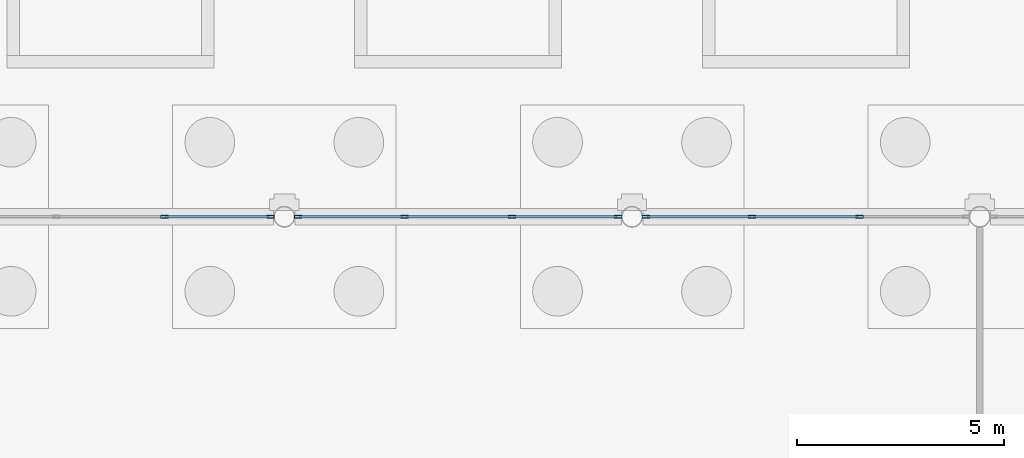
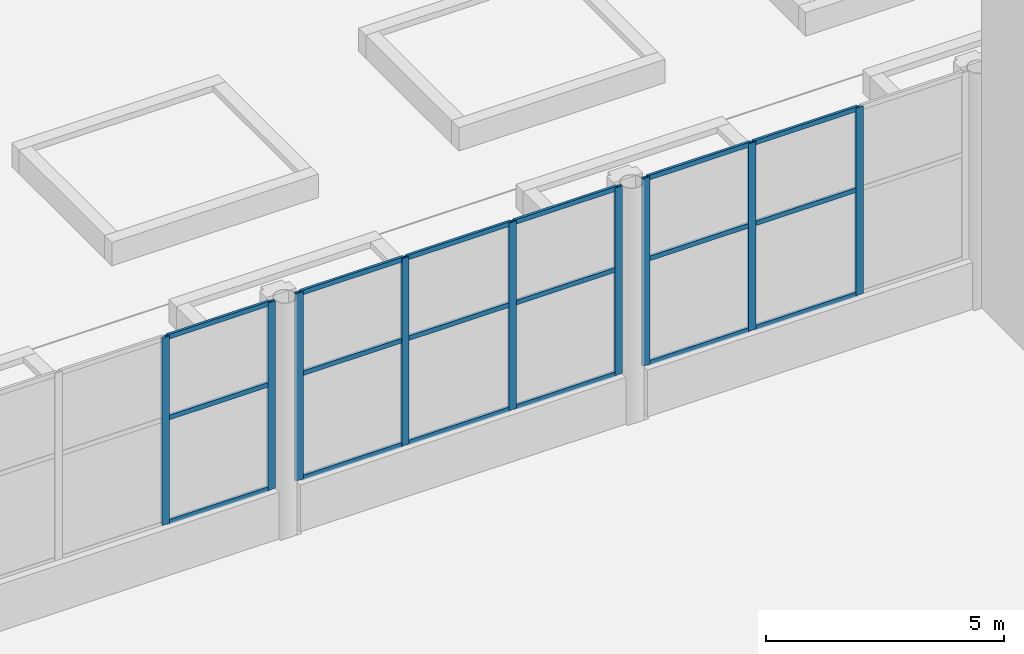
# One storey, part 154 of 212: 27 members, 3 elements without a shape of their own.
"""IFC4 building model written with IfcOpenShell, lengths in metres."""

from ifc_helpers import new_model, si_unit, direction, frame, origin, origin_2d, place, context, subcontext, project, spatial, hollow_rectangle, extrude, material, material_profile, profile_set, type_object, element, aggregate, save


model = new_model("IFC4")

# Units and contexts
model_context = context("Model", 3, precision=1e-05, world=origin(), true_north=direction((0.0, 1.0)))
body_context = subcontext(model_context, "Body", "Model", "MODEL_VIEW")
ifc_project = project(units=[si_unit("LENGTHUNIT", "METRE"), si_unit("AREAUNIT", "SQUARE_METRE"), si_unit("VOLUMEUNIT", "CUBIC_METRE"), si_unit("PLANEANGLEUNIT", "RADIAN"), si_unit("MASSUNIT", "GRAM", prefix="KILO")], contexts=[model_context])

# Site, building, storey
site_placement = place(None, origin())
site = spatial("IfcSite", under=ifc_project, at=site_placement, CompositionType="ELEMENT")
building_placement = place(site_placement, origin())
building = spatial("IfcBuilding", under=site, at=building_placement, Name="Catenary Quay Ferry Terminal", CompositionType="ELEMENT")
storey_placement = place(building_placement, origin())
storey = spatial("IfcBuildingStorey", under=building, at=storey_placement, Name="L00", CompositionType="ELEMENT", Elevation=0.0)

# Curtain wall, members
ifc_material_1 = material(Name="Aluminium and glass", Category="aluminium")
curtain_wall_type = type_object("IfcCurtainWallType", Name="CWH", PredefinedType="NOTDEFINED", material=ifc_material_1)
curtain_wall_1_placement = place(storey_placement, origin())
curtain_wall_1 = element("IfcCurtainWall", 1, at=curtain_wall_1_placement, inside=storey, type_object=curtain_wall_type, Name="Hall curtain wall CW44", PredefinedType="NOTDEFINED")
ifc_material_2 = material(Name="Aluminium", Category="aluminium")
ifc_material_profile_1 = material_profile(ifc_material_2, hollow_rectangle(XDim=0.070068359375, YDim=0.179931640625, WallThickness=0.006103515625, at=origin_2d()), Name="MU3")
ifc_profile_set_1 = profile_set([ifc_material_profile_1], Name="Aluminium")
member_type_1 = type_object("IfcMemberType", Name="MU3", PredefinedType="MULLION", material=ifc_profile_set_1)
member_1_placement = place(storey_placement, frame((64.300048828125, 142.800048828125, 1.199951171875), z_axis=(0.0, 0.0, 1.0), x_axis=(0.0, 1.0, 0.0)))
member_1 = element("IfcMember", 2, at=member_1_placement, type_object=member_type_1, Name="CW44 mullion 3", PredefinedType="MULLION", context=body_context, shape_type="SweptSolid", body=[
    extrude(hollow_rectangle(XDim=0.070068359375, YDim=0.179931640625, WallThickness=0.006103515625, at=origin_2d()), origin(), (0.0, 0.0, 1.0), 4.800048828125),
])
member_2_placement = place(storey_placement, frame((66.864990234375, 142.800048828125, 1.199951171875), z_axis=(0.0, 0.0, 1.0), x_axis=(0.0, 1.0, 0.0)))
member_2 = element("IfcMember", 3, at=member_2_placement, type_object=member_type_1, Name="CW44 mullion 4", PredefinedType="MULLION", context=body_context, shape_type="SweptSolid", body=[
    extrude(hollow_rectangle(XDim=0.070068359375, YDim=0.179931640625, WallThickness=0.006103515625, at=origin_2d()), origin(), (0.0, 0.0, 1.0), 4.800048828125),
])

curtain_wall_2_placement = place(storey_placement, origin())
curtain_wall_2 = element("IfcCurtainWall", 4, at=curtain_wall_2_placement, inside=storey, type_object=curtain_wall_type, Name="Hall curtain wall CW45", PredefinedType="NOTDEFINED")
member_3_placement = place(storey_placement, frame((67.534912109375, 142.800048828125, 1.199951171875), z_axis=(0.0, 0.0, 1.0), x_axis=(0.0, 1.0, 0.0)))
member_3 = element("IfcMember", 5, at=member_3_placement, type_object=member_type_1, Name="CW45 mullion 1", PredefinedType="MULLION", context=body_context, shape_type="SweptSolid", body=[
    extrude(hollow_rectangle(XDim=0.070068359375, YDim=0.179931640625, WallThickness=0.006103515625, at=origin_2d()), origin(), (0.0, 0.0, 1.0), 4.800048828125),
])
member_4_placement = place(storey_placement, frame((70.10009765625, 142.800048828125, 1.199951171875), z_axis=(0.0, 0.0, 1.0), x_axis=(0.0, 1.0, 0.0)))
member_4 = element("IfcMember", 6, at=member_4_placement, type_object=member_type_1, Name="CW45 mullion 2", PredefinedType="MULLION", context=body_context, shape_type="SweptSolid", body=[
    extrude(hollow_rectangle(XDim=0.070068359375, YDim=0.179931640625, WallThickness=0.006103515625, at=origin_2d()), origin(), (0.0, 0.0, 1.0), 4.800048828125),
])
member_5_placement = place(storey_placement, frame((72.699951171875, 142.800048828125, 1.199951171875), z_axis=(0.0, 0.0, 1.0), x_axis=(0.0, 1.0, 0.0)))
member_5 = element("IfcMember", 7, at=member_5_placement, type_object=member_type_1, Name="CW45 mullion 3", PredefinedType="MULLION", context=body_context, shape_type="SweptSolid", body=[
    extrude(hollow_rectangle(XDim=0.070068359375, YDim=0.179931640625, WallThickness=0.006103515625, at=origin_2d()), origin(), (0.0, 0.0, 1.0), 4.800048828125),
])
member_6_placement = place(storey_placement, frame((75.264892578125, 142.800048828125, 1.199951171875), z_axis=(0.0, 0.0, 1.0), x_axis=(0.0, 1.0, 0.0)))
member_6 = element("IfcMember", 8, at=member_6_placement, type_object=member_type_1, Name="CW45 mullion 4", PredefinedType="MULLION", context=body_context, shape_type="SweptSolid", body=[
    extrude(hollow_rectangle(XDim=0.070068359375, YDim=0.179931640625, WallThickness=0.006103515625, at=origin_2d()), origin(), (0.0, 0.0, 1.0), 4.800048828125),
])

curtain_wall_3_placement = place(storey_placement, origin())
curtain_wall_3 = element("IfcCurtainWall", 9, at=curtain_wall_3_placement, inside=storey, type_object=curtain_wall_type, Name="Hall curtain wall CW46", PredefinedType="NOTDEFINED")
member_7_placement = place(storey_placement, frame((75.93505859375, 142.800048828125, 1.199951171875), z_axis=(0.0, 0.0, 1.0), x_axis=(0.0, 1.0, 0.0)))
member_7 = element("IfcMember", 10, at=member_7_placement, type_object=member_type_1, Name="CW46 mullion 1", PredefinedType="MULLION", context=body_context, shape_type="SweptSolid", body=[
    extrude(hollow_rectangle(XDim=0.070068359375, YDim=0.179931640625, WallThickness=0.006103515625, at=origin_2d()), origin(), (0.0, 0.0, 1.0), 4.800048828125),
])
member_8_placement = place(storey_placement, frame((78.5, 142.800048828125, 1.199951171875), z_axis=(0.0, 0.0, 1.0), x_axis=(0.0, 1.0, 0.0)))
member_8 = element("IfcMember", 11, at=member_8_placement, type_object=member_type_1, Name="CW46 mullion 2", PredefinedType="MULLION", context=body_context, shape_type="SweptSolid", body=[
    extrude(hollow_rectangle(XDim=0.070068359375, YDim=0.179931640625, WallThickness=0.006103515625, at=origin_2d()), origin(), (0.0, 0.0, 1.0), 4.800048828125),
])
member_9_placement = place(storey_placement, frame((81.10009765625, 142.800048828125, 1.199951171875), z_axis=(0.0, 0.0, 1.0), x_axis=(0.0, 1.0, 0.0)))
member_9 = element("IfcMember", 12, at=member_9_placement, type_object=member_type_1, Name="CW46 mullion 3", PredefinedType="MULLION", context=body_context, shape_type="SweptSolid", body=[
    extrude(hollow_rectangle(XDim=0.070068359375, YDim=0.179931640625, WallThickness=0.006103515625, at=origin_2d()), origin(), (0.0, 0.0, 1.0), 4.800048828125),
])

# Member
ifc_material_3 = material(Name="Aluminium", Category="aluminium")
ifc_material_profile_2 = material_profile(ifc_material_3, hollow_rectangle(XDim=0.06005859375, YDim=0.1201171875, WallThickness=0.0048828125, at=origin_2d()), Name="TR3")
ifc_profile_set_2 = profile_set([ifc_material_profile_2], Name="Aluminium")
member_type_2 = type_object("IfcMemberType", Name="TR3", PredefinedType="USERDEFINED", material=ifc_profile_set_2)
member_10_placement = place(storey_placement, frame((64.3349609375, 142.800048828125, 1.22998046875), z_axis=(1.0, 0.0, 0.0), x_axis=(0.0, 1.0, 0.0)))
member_10 = element("IfcMember", 13, at=member_10_placement, type_object=member_type_2, Name="CW44 transom 3.1", ObjectType="TRANSOM", PredefinedType="USERDEFINED", context=body_context, shape_type="SweptSolid", body=[
    extrude(hollow_rectangle(XDim=0.06005859375, YDim=0.1201171875, WallThickness=0.0048828125, at=origin_2d()), origin(), (0.0, 0.0, 1.0), 2.4951171875),
])

member_11_placement = place(storey_placement, frame((64.3349609375, 142.800048828125, 3.89990234375), z_axis=(1.0, 0.0, 0.0), x_axis=(0.0, 1.0, 0.0)))
member_11 = element("IfcMember", 14, at=member_11_placement, type_object=member_type_2, Name="CW44 transom 3.2", ObjectType="TRANSOM", PredefinedType="USERDEFINED", context=body_context, shape_type="SweptSolid", body=[
    extrude(hollow_rectangle(XDim=0.06005859375, YDim=0.1201171875, WallThickness=0.0048828125, at=origin_2d()), origin(), (0.0, 0.0, 1.0), 2.4951171875),
])

member_12_placement = place(storey_placement, frame((64.3349609375, 142.800048828125, 5.969970703125), z_axis=(1.0, 0.0, 0.0), x_axis=(0.0, 1.0, 0.0)))
member_12 = element("IfcMember", 15, at=member_12_placement, type_object=member_type_2, Name="CW44 transom 3.3", ObjectType="TRANSOM", PredefinedType="USERDEFINED", context=body_context, shape_type="SweptSolid", body=[
    extrude(hollow_rectangle(XDim=0.06005859375, YDim=0.1201171875, WallThickness=0.0048828125, at=origin_2d()), origin(), (0.0, 0.0, 1.0), 2.4951171875),
])

aggregate(curtain_wall_1, [member_1, member_2, member_10, member_11, member_12])

member_13_placement = place(storey_placement, frame((67.570068359375, 142.800048828125, 1.22998046875), z_axis=(1.0, 0.0, 0.0), x_axis=(0.0, 1.0, 0.0)))
member_13 = element("IfcMember", 16, at=member_13_placement, type_object=member_type_2, Name="CW45 transom 1.1", ObjectType="TRANSOM", PredefinedType="USERDEFINED", context=body_context, shape_type="SweptSolid", body=[
    extrude(hollow_rectangle(XDim=0.06005859375, YDim=0.1201171875, WallThickness=0.0048828125, at=origin_2d()), origin(), (0.0, 0.0, 1.0), 2.494873046875),
])

member_14_placement = place(storey_placement, frame((67.570068359375, 142.800048828125, 3.89990234375), z_axis=(1.0, 0.0, 0.0), x_axis=(0.0, 1.0, 0.0)))
member_14 = element("IfcMember", 17, at=member_14_placement, type_object=member_type_2, Name="CW45 transom 1.2", ObjectType="TRANSOM", PredefinedType="USERDEFINED", context=body_context, shape_type="SweptSolid", body=[
    extrude(hollow_rectangle(XDim=0.06005859375, YDim=0.1201171875, WallThickness=0.0048828125, at=origin_2d()), origin(), (0.0, 0.0, 1.0), 2.494873046875),
])

member_15_placement = place(storey_placement, frame((67.570068359375, 142.800048828125, 5.969970703125), z_axis=(1.0, 0.0, 0.0), x_axis=(0.0, 1.0, 0.0)))
member_15 = element("IfcMember", 18, at=member_15_placement, type_object=member_type_2, Name="CW45 transom 1.3", ObjectType="TRANSOM", PredefinedType="USERDEFINED", context=body_context, shape_type="SweptSolid", body=[
    extrude(hollow_rectangle(XDim=0.06005859375, YDim=0.1201171875, WallThickness=0.0048828125, at=origin_2d()), origin(), (0.0, 0.0, 1.0), 2.494873046875),
])

member_16_placement = place(storey_placement, frame((70.135009765625, 142.800048828125, 1.22998046875), z_axis=(1.0, 0.0, 0.0), x_axis=(0.0, 1.0, 0.0)))
member_16 = element("IfcMember", 19, at=member_16_placement, type_object=member_type_2, Name="CW45 transom 2.1", ObjectType="TRANSOM", PredefinedType="USERDEFINED", context=body_context, shape_type="SweptSolid", body=[
    extrude(hollow_rectangle(XDim=0.06005859375, YDim=0.1201171875, WallThickness=0.0048828125, at=origin_2d()), origin(), (0.0, 0.0, 1.0), 2.530029296875),
])

member_17_placement = place(storey_placement, frame((70.135009765625, 142.800048828125, 3.89990234375), z_axis=(1.0, 0.0, 0.0), x_axis=(0.0, 1.0, 0.0)))
member_17 = element("IfcMember", 20, at=member_17_placement, type_object=member_type_2, Name="CW45 transom 2.2", ObjectType="TRANSOM", PredefinedType="USERDEFINED", context=body_context, shape_type="SweptSolid", body=[
    extrude(hollow_rectangle(XDim=0.06005859375, YDim=0.1201171875, WallThickness=0.0048828125, at=origin_2d()), origin(), (0.0, 0.0, 1.0), 2.530029296875),
])

member_18_placement = place(storey_placement, frame((70.135009765625, 142.800048828125, 5.969970703125), z_axis=(1.0, 0.0, 0.0), x_axis=(0.0, 1.0, 0.0)))
member_18 = element("IfcMember", 21, at=member_18_placement, type_object=member_type_2, Name="CW45 transom 2.3", ObjectType="TRANSOM", PredefinedType="USERDEFINED", context=body_context, shape_type="SweptSolid", body=[
    extrude(hollow_rectangle(XDim=0.06005859375, YDim=0.1201171875, WallThickness=0.0048828125, at=origin_2d()), origin(), (0.0, 0.0, 1.0), 2.530029296875),
])

member_19_placement = place(storey_placement, frame((72.735107421875, 142.800048828125, 1.22998046875), z_axis=(1.0, 0.0, 0.0), x_axis=(0.0, 1.0, 0.0)))
member_19 = element("IfcMember", 22, at=member_19_placement, type_object=member_type_2, Name="CW45 transom 3.1", ObjectType="TRANSOM", PredefinedType="USERDEFINED", context=body_context, shape_type="SweptSolid", body=[
    extrude(hollow_rectangle(XDim=0.06005859375, YDim=0.1201171875, WallThickness=0.0048828125, at=origin_2d()), origin(), (0.0, 0.0, 1.0), 2.494873046875),
])

member_20_placement = place(storey_placement, frame((72.735107421875, 142.800048828125, 3.89990234375), z_axis=(1.0, 0.0, 0.0), x_axis=(0.0, 1.0, 0.0)))
member_20 = element("IfcMember", 23, at=member_20_placement, type_object=member_type_2, Name="CW45 transom 3.2", ObjectType="TRANSOM", PredefinedType="USERDEFINED", context=body_context, shape_type="SweptSolid", body=[
    extrude(hollow_rectangle(XDim=0.06005859375, YDim=0.1201171875, WallThickness=0.0048828125, at=origin_2d()), origin(), (0.0, 0.0, 1.0), 2.494873046875),
])

member_21_placement = place(storey_placement, frame((72.735107421875, 142.800048828125, 5.969970703125), z_axis=(1.0, 0.0, 0.0), x_axis=(0.0, 1.0, 0.0)))
member_21 = element("IfcMember", 24, at=member_21_placement, type_object=member_type_2, Name="CW45 transom 3.3", ObjectType="TRANSOM", PredefinedType="USERDEFINED", context=body_context, shape_type="SweptSolid", body=[
    extrude(hollow_rectangle(XDim=0.06005859375, YDim=0.1201171875, WallThickness=0.0048828125, at=origin_2d()), origin(), (0.0, 0.0, 1.0), 2.494873046875),
])

aggregate(curtain_wall_2, [member_3, member_4, member_5, member_6, member_13, member_14, member_15, member_16, member_17, member_18, member_19, member_20, member_21])

member_22_placement = place(storey_placement, frame((75.969970703125, 142.800048828125, 1.22998046875), z_axis=(1.0, 0.0, 0.0), x_axis=(0.0, 1.0, 0.0)))
member_22 = element("IfcMember", 25, at=member_22_placement, type_object=member_type_2, Name="CW46 transom 1.1", ObjectType="TRANSOM", PredefinedType="USERDEFINED", context=body_context, shape_type="SweptSolid", body=[
    extrude(hollow_rectangle(XDim=0.06005859375, YDim=0.1201171875, WallThickness=0.0048828125, at=origin_2d()), origin(), (0.0, 0.0, 1.0), 2.4951171875),
])

member_23_placement = place(storey_placement, frame((75.969970703125, 142.800048828125, 3.89990234375), z_axis=(1.0, 0.0, 0.0), x_axis=(0.0, 1.0, 0.0)))
member_23 = element("IfcMember", 26, at=member_23_placement, type_object=member_type_2, Name="CW46 transom 1.2", ObjectType="TRANSOM", PredefinedType="USERDEFINED", context=body_context, shape_type="SweptSolid", body=[
    extrude(hollow_rectangle(XDim=0.06005859375, YDim=0.1201171875, WallThickness=0.0048828125, at=origin_2d()), origin(), (0.0, 0.0, 1.0), 2.4951171875),
])

member_24_placement = place(storey_placement, frame((75.969970703125, 142.800048828125, 5.969970703125), z_axis=(1.0, 0.0, 0.0), x_axis=(0.0, 1.0, 0.0)))
member_24 = element("IfcMember", 27, at=member_24_placement, type_object=member_type_2, Name="CW46 transom 1.3", ObjectType="TRANSOM", PredefinedType="USERDEFINED", context=body_context, shape_type="SweptSolid", body=[
    extrude(hollow_rectangle(XDim=0.06005859375, YDim=0.1201171875, WallThickness=0.0048828125, at=origin_2d()), origin(), (0.0, 0.0, 1.0), 2.4951171875),
])

member_25_placement = place(storey_placement, frame((78.534912109375, 142.800048828125, 1.22998046875), z_axis=(1.0, 0.0, 0.0), x_axis=(0.0, 1.0, 0.0)))
member_25 = element("IfcMember", 28, at=member_25_placement, type_object=member_type_2, Name="CW46 transom 2.1", ObjectType="TRANSOM", PredefinedType="USERDEFINED", context=body_context, shape_type="SweptSolid", body=[
    extrude(hollow_rectangle(XDim=0.06005859375, YDim=0.1201171875, WallThickness=0.0048828125, at=origin_2d()), origin(), (0.0, 0.0, 1.0), 2.530029296875),
])

member_26_placement = place(storey_placement, frame((78.534912109375, 142.800048828125, 3.89990234375), z_axis=(1.0, 0.0, 0.0), x_axis=(0.0, 1.0, 0.0)))
member_26 = element("IfcMember", 29, at=member_26_placement, type_object=member_type_2, Name="CW46 transom 2.2", ObjectType="TRANSOM", PredefinedType="USERDEFINED", context=body_context, shape_type="SweptSolid", body=[
    extrude(hollow_rectangle(XDim=0.06005859375, YDim=0.1201171875, WallThickness=0.0048828125, at=origin_2d()), origin(), (0.0, 0.0, 1.0), 2.530029296875),
])

member_27_placement = place(storey_placement, frame((78.534912109375, 142.800048828125, 5.969970703125), z_axis=(1.0, 0.0, 0.0), x_axis=(0.0, 1.0, 0.0)))
member_27 = element("IfcMember", 30, at=member_27_placement, type_object=member_type_2, Name="CW46 transom 2.3", ObjectType="TRANSOM", PredefinedType="USERDEFINED", context=body_context, shape_type="SweptSolid", body=[
    extrude(hollow_rectangle(XDim=0.06005859375, YDim=0.1201171875, WallThickness=0.0048828125, at=origin_2d()), origin(), (0.0, 0.0, 1.0), 2.530029296875),
])

aggregate(curtain_wall_3, [member_7, member_8, member_9, member_22, member_23, member_24, member_25, member_26, member_27])

save(model, "model.ifc")
